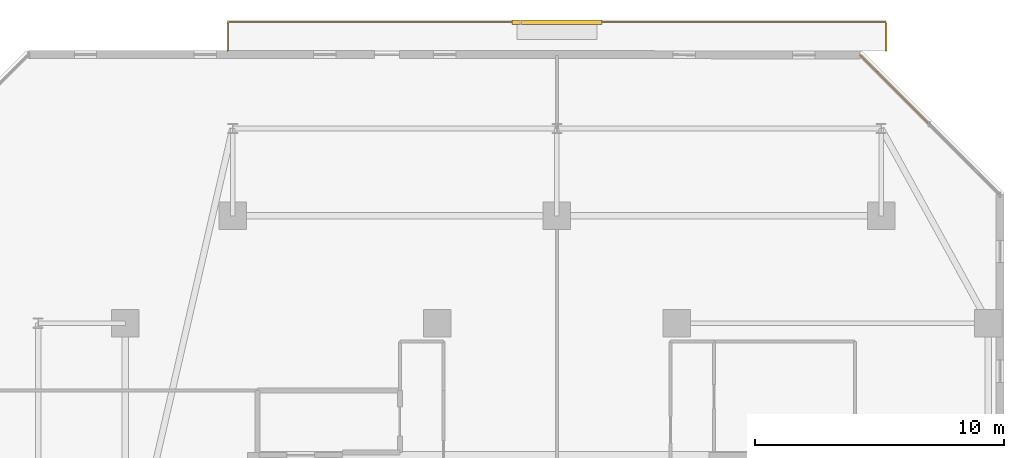
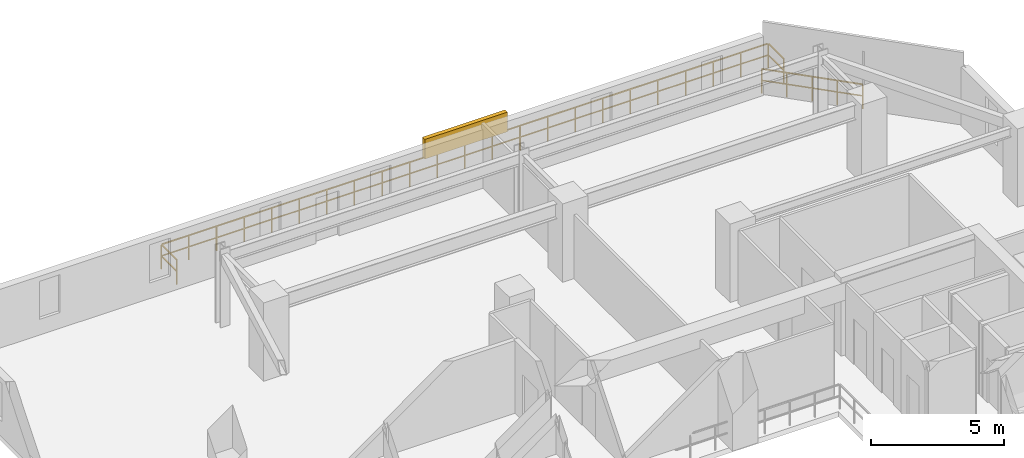
# One storey, part 32 of 32: 2 railings, 1 shading device.
"""IFC4 building model written with IfcOpenShell, lengths in metres."""

from ifc_helpers import new_model, si_unit, direction, frame, origin, origin_2d, place, context, subcontext, project, spatial, rectangle, extrude, material, type_object, element, save


model = new_model("IFC4")

# Units and contexts
model_context = context("Model", 3, precision=1e-05, world=origin(), true_north=direction((0.0, 1.0)))
body_context = subcontext(model_context, "Body", "Model", "MODEL_VIEW")
ifc_project = project(units=[si_unit("LENGTHUNIT", "METRE"), si_unit("AREAUNIT", "SQUARE_METRE"), si_unit("VOLUMEUNIT", "CUBIC_METRE"), si_unit("PLANEANGLEUNIT", "RADIAN"), si_unit("MASSUNIT", "GRAM", prefix="KILO")], contexts=[model_context])

# Site, building, storey
site_placement = place(None, origin())
site = spatial("IfcSite", under=ifc_project, at=site_placement, CompositionType="ELEMENT")
building_placement = place(site_placement, origin())
building = spatial("IfcBuilding", under=site, at=building_placement, Name="Thornwick Lancets Civic Towers", CompositionType="ELEMENT")
storey_placement = place(building_placement, frame((0.0, 0.0, 182.10009765625)))
storey = spatial("IfcBuildingStorey", under=building, at=storey_placement, Name="L48", CompositionType="ELEMENT", Elevation=182.10009765625)

# Railings
ifc_material_1 = material(Name="Terracotta-capped laminated glass balustrade S355", Category="masonry")
railing_type = type_object("IfcRailingType", Name="RAIL_TERR_GUARD", PredefinedType="GUARDRAIL", material=ifc_material_1)
railing_1_placement = place(storey_placement, frame((103.43505859375, 47.96728515625, 0.0)))
element("IfcRailing", 1, at=railing_1_placement, inside=storey, type_object=railing_type, Name="L48 Tower B Chamfer Spandrel Guard E3-1", PredefinedType="GUARDRAIL", context=body_context, shape_type="SweptSolid", body=[
    extrude(rectangle(XDim=0.048095703125, YDim=0.048095703125, at=origin_2d()), frame((0.0, 0.0, 1.1259765625), z_axis=(-0.707075811876, 0.707137749141, 0.0), x_axis=(-0.707137749141, -0.707075811876, 0.0)), (0.0, 0.0, 1.0), 3.941650390625),
    extrude(rectangle(XDim=0.0419921875, YDim=0.0419921875, at=origin_2d()), frame((-0.026611328125, 0.026611328125, 0.597900390625), z_axis=(-0.707075811876, 0.707137749141, 0.0), x_axis=(-0.707137749141, -0.707075811876, 0.0)), (0.0, 0.0, 1.0), 0.910400390625),
    extrude(rectangle(XDim=0.0419921875, YDim=0.0419921875, at=origin_2d()), frame((-0.723388671875, 0.723388671875, 0.597900390625), z_axis=(-0.707075811876, 0.707137749141, 0.0), x_axis=(-0.707137749141, -0.707075811876, 0.0)), (0.0, 0.0, 1.0), 0.910400390625),
    extrude(rectangle(XDim=0.0419921875, YDim=0.0419921875, at=origin_2d()), frame((-1.420166015625, 1.420166015625, 0.597900390625), z_axis=(-0.707075811876, 0.707137749141, 0.0), x_axis=(-0.707137749141, -0.707075811876, 0.0)), (0.0, 0.0, 1.0), 0.910400390625),
    extrude(rectangle(XDim=0.0419921875, YDim=0.0419921875, at=origin_2d()), frame((-2.116943359375, 2.116943359375, 0.597900390625), z_axis=(-0.707075811876, 0.707137749141, 0.0), x_axis=(-0.707137749141, -0.707075811876, 0.0)), (0.0, 0.0, 1.0), 0.910400390625),
    extrude(rectangle(XDim=0.0419921875, YDim=0.0419921875, at=origin_2d()), origin(), (0.0, 0.0, 1.0), 1.095703125),
    extrude(rectangle(XDim=0.0419921875, YDim=0.0419921875, at=origin_2d()), frame((-0.69677734375, 0.69677734375, 0.0)), (0.0, 0.0, 1.0), 1.095703125),
    extrude(rectangle(XDim=0.0419921875, YDim=0.0419921875, at=origin_2d()), frame((-1.3935546875, 1.3935546875, 0.0)), (0.0, 0.0, 1.0), 1.095703125),
    extrude(rectangle(XDim=0.0419921875, YDim=0.0419921875, at=origin_2d()), frame((-2.09033203125, 2.090576171875, 0.0)), (0.0, 0.0, 1.0), 1.095703125),
    extrude(rectangle(XDim=0.0419921875, YDim=0.0419921875, at=origin_2d()), frame((-2.787109375, 2.787353515625, 0.0)), (0.0, 0.0, 1.0), 1.095703125),
])
railing_2_placement = place(storey_placement, frame((75.300048828125, 50.89990234375, 0.0)))
element("IfcRailing", 2, at=railing_2_placement, inside=storey, type_object=railing_type, Name="L48 Tower B Balcony Guard N", PredefinedType="GUARDRAIL", context=body_context, shape_type="SweptSolid", body=[
    extrude(rectangle(XDim=0.048095703125, YDim=0.048095703125, at=origin_2d()), frame((0.0, 0.0, 1.1259765625), z_axis=(0.0, 1.0, 0.0), x_axis=(-1.0, 0.0, 0.0)), (0.0, 0.0, 1.0), 1.138916015625),
    extrude(rectangle(XDim=0.0419921875, YDim=0.0419921875, at=origin_2d()), frame((0.0, 0.03759765625, 0.597900390625), z_axis=(0.0, 1.0, 0.0), x_axis=(-1.0, 0.0, 0.0)), (0.0, 0.0, 1.0), 1.09521484375),
    extrude(rectangle(XDim=0.048095703125, YDim=0.048095703125, at=origin_2d()), frame((0.03125, 1.170166015625, 1.1259765625), z_axis=(1.0, 0.0, 0.0), x_axis=(0.0, 1.0, 0.0)), (0.0, 0.0, 1.0), 26.33740234375),
    extrude(rectangle(XDim=0.0419921875, YDim=0.0419921875, at=origin_2d()), frame((0.03759765625, 1.170166015625, 0.597900390625), z_axis=(1.0, 0.0, 0.0), x_axis=(0.0, 1.0, 0.0)), (0.0, 0.0, 1.0), 1.125),
    extrude(rectangle(XDim=0.0419921875, YDim=0.0419921875, at=origin_2d()), frame((1.237548828125, 1.170166015625, 0.597900390625), z_axis=(1.0, 0.0, 0.0), x_axis=(0.0, 1.0, 0.0)), (0.0, 0.0, 1.0), 1.125),
    extrude(rectangle(XDim=0.0419921875, YDim=0.0419921875, at=origin_2d()), frame((2.4375, 1.170166015625, 0.597900390625), z_axis=(1.0, 0.0, 0.0), x_axis=(0.0, 1.0, 0.0)), (0.0, 0.0, 1.0), 1.125),
    extrude(rectangle(XDim=0.0419921875, YDim=0.0419921875, at=origin_2d()), frame((3.637451171875, 1.170166015625, 0.597900390625), z_axis=(1.0, 0.0, 0.0), x_axis=(0.0, 1.0, 0.0)), (0.0, 0.0, 1.0), 1.125),
    extrude(rectangle(XDim=0.0419921875, YDim=0.0419921875, at=origin_2d()), frame((4.83740234375, 1.170166015625, 0.597900390625), z_axis=(1.0, 0.0, 0.0), x_axis=(0.0, 1.0, 0.0)), (0.0, 0.0, 1.0), 1.125),
    extrude(rectangle(XDim=0.0419921875, YDim=0.0419921875, at=origin_2d()), frame((6.037353515625, 1.170166015625, 0.597900390625), z_axis=(1.0, 0.0, 0.0), x_axis=(0.0, 1.0, 0.0)), (0.0, 0.0, 1.0), 1.125),
    extrude(rectangle(XDim=0.0419921875, YDim=0.0419921875, at=origin_2d()), frame((7.237548828125, 1.170166015625, 0.597900390625), z_axis=(1.0, 0.0, 0.0), x_axis=(0.0, 1.0, 0.0)), (0.0, 0.0, 1.0), 1.125),
    extrude(rectangle(XDim=0.0419921875, YDim=0.0419921875, at=origin_2d()), frame((8.4375, 1.170166015625, 0.597900390625), z_axis=(1.0, 0.0, 0.0), x_axis=(0.0, 1.0, 0.0)), (0.0, 0.0, 1.0), 1.125),
    extrude(rectangle(XDim=0.0419921875, YDim=0.0419921875, at=origin_2d()), frame((9.637451171875, 1.170166015625, 0.597900390625), z_axis=(1.0, 0.0, 0.0), x_axis=(0.0, 1.0, 0.0)), (0.0, 0.0, 1.0), 1.125),
    extrude(rectangle(XDim=0.0419921875, YDim=0.0419921875, at=origin_2d()), frame((10.83740234375, 1.170166015625, 0.597900390625), z_axis=(1.0, 0.0, 0.0), x_axis=(0.0, 1.0, 0.0)), (0.0, 0.0, 1.0), 1.125),
    extrude(rectangle(XDim=0.0419921875, YDim=0.0419921875, at=origin_2d()), frame((12.037353515625, 1.170166015625, 0.597900390625), z_axis=(1.0, 0.0, 0.0), x_axis=(0.0, 1.0, 0.0)), (0.0, 0.0, 1.0), 1.125),
    extrude(rectangle(XDim=0.0419921875, YDim=0.0419921875, at=origin_2d()), frame((13.237548828125, 1.170166015625, 0.597900390625), z_axis=(1.0, 0.0, 0.0), x_axis=(0.0, 1.0, 0.0)), (0.0, 0.0, 1.0), 1.125),
    extrude(rectangle(XDim=0.0419921875, YDim=0.0419921875, at=origin_2d()), frame((14.4375, 1.170166015625, 0.597900390625), z_axis=(1.0, 0.0, 0.0), x_axis=(0.0, 1.0, 0.0)), (0.0, 0.0, 1.0), 1.125),
    extrude(rectangle(XDim=0.0419921875, YDim=0.0419921875, at=origin_2d()), frame((15.637451171875, 1.170166015625, 0.597900390625), z_axis=(1.0, 0.0, 0.0), x_axis=(0.0, 1.0, 0.0)), (0.0, 0.0, 1.0), 1.125),
    extrude(rectangle(XDim=0.0419921875, YDim=0.0419921875, at=origin_2d()), frame((16.83740234375, 1.170166015625, 0.597900390625), z_axis=(1.0, 0.0, 0.0), x_axis=(0.0, 1.0, 0.0)), (0.0, 0.0, 1.0), 1.125),
    extrude(rectangle(XDim=0.0419921875, YDim=0.0419921875, at=origin_2d()), frame((18.037353515625, 1.170166015625, 0.597900390625), z_axis=(1.0, 0.0, 0.0), x_axis=(0.0, 1.0, 0.0)), (0.0, 0.0, 1.0), 1.125),
    extrude(rectangle(XDim=0.0419921875, YDim=0.0419921875, at=origin_2d()), frame((19.2373046875, 1.170166015625, 0.597900390625), z_axis=(1.0, 0.0, 0.0), x_axis=(0.0, 1.0, 0.0)), (0.0, 0.0, 1.0), 1.125),
    extrude(rectangle(XDim=0.0419921875, YDim=0.0419921875, at=origin_2d()), frame((20.4375, 1.170166015625, 0.597900390625), z_axis=(1.0, 0.0, 0.0), x_axis=(0.0, 1.0, 0.0)), (0.0, 0.0, 1.0), 1.125),
    extrude(rectangle(XDim=0.0419921875, YDim=0.0419921875, at=origin_2d()), frame((21.637451171875, 1.170166015625, 0.597900390625), z_axis=(1.0, 0.0, 0.0), x_axis=(0.0, 1.0, 0.0)), (0.0, 0.0, 1.0), 1.125),
    extrude(rectangle(XDim=0.0419921875, YDim=0.0419921875, at=origin_2d()), frame((22.83740234375, 1.170166015625, 0.597900390625), z_axis=(1.0, 0.0, 0.0), x_axis=(0.0, 1.0, 0.0)), (0.0, 0.0, 1.0), 1.125),
    extrude(rectangle(XDim=0.0419921875, YDim=0.0419921875, at=origin_2d()), frame((24.037353515625, 1.170166015625, 0.597900390625), z_axis=(1.0, 0.0, 0.0), x_axis=(0.0, 1.0, 0.0)), (0.0, 0.0, 1.0), 1.125),
    extrude(rectangle(XDim=0.0419921875, YDim=0.0419921875, at=origin_2d()), frame((25.2373046875, 1.170166015625, 0.597900390625), z_axis=(1.0, 0.0, 0.0), x_axis=(0.0, 1.0, 0.0)), (0.0, 0.0, 1.0), 1.125),
    extrude(rectangle(XDim=0.048095703125, YDim=0.048095703125, at=origin_2d()), frame((26.39990234375, 1.138916015625, 1.1259765625), z_axis=(0.0, -1.0, 0.0), x_axis=(1.0, 0.0, 0.0)), (0.0, 0.0, 1.0), 1.138916015625),
    extrude(rectangle(XDim=0.0419921875, YDim=0.0419921875, at=origin_2d()), frame((26.39990234375, 1.132568359375, 0.597900390625), z_axis=(0.0, -1.0, 0.0), x_axis=(1.0, 0.0, 0.0)), (0.0, 0.0, 1.0), 1.09521484375),
    extrude(rectangle(XDim=0.0419921875, YDim=0.0419921875, at=origin_2d()), origin(), (0.0, 0.0, 1.0), 1.095703125),
    extrude(rectangle(XDim=0.0419921875, YDim=0.0419921875, at=origin_2d()), frame((0.0, 1.170166015625, 0.0)), (0.0, 0.0, 1.0), 1.095703125),
    extrude(rectangle(XDim=0.0419921875, YDim=0.0419921875, at=origin_2d()), frame((1.199951171875, 1.170166015625, 0.0)), (0.0, 0.0, 1.0), 1.095703125),
    extrude(rectangle(XDim=0.0419921875, YDim=0.0419921875, at=origin_2d()), frame((2.39990234375, 1.170166015625, 0.0)), (0.0, 0.0, 1.0), 1.095703125),
    extrude(rectangle(XDim=0.0419921875, YDim=0.0419921875, at=origin_2d()), frame((3.60009765625, 1.170166015625, 0.0)), (0.0, 0.0, 1.0), 1.095703125),
    extrude(rectangle(XDim=0.0419921875, YDim=0.0419921875, at=origin_2d()), frame((4.800048828125, 1.170166015625, 0.0)), (0.0, 0.0, 1.0), 1.095703125),
    extrude(rectangle(XDim=0.0419921875, YDim=0.0419921875, at=origin_2d()), frame((6.0, 1.170166015625, 0.0)), (0.0, 0.0, 1.0), 1.095703125),
    extrude(rectangle(XDim=0.0419921875, YDim=0.0419921875, at=origin_2d()), frame((7.199951171875, 1.170166015625, 0.0)), (0.0, 0.0, 1.0), 1.095703125),
    extrude(rectangle(XDim=0.0419921875, YDim=0.0419921875, at=origin_2d()), frame((8.39990234375, 1.170166015625, 0.0)), (0.0, 0.0, 1.0), 1.095703125),
    extrude(rectangle(XDim=0.0419921875, YDim=0.0419921875, at=origin_2d()), frame((9.599853515625, 1.170166015625, 0.0)), (0.0, 0.0, 1.0), 1.095703125),
    extrude(rectangle(XDim=0.0419921875, YDim=0.0419921875, at=origin_2d()), frame((10.800048828125, 1.170166015625, 0.0)), (0.0, 0.0, 1.0), 1.095703125),
    extrude(rectangle(XDim=0.0419921875, YDim=0.0419921875, at=origin_2d()), frame((12.0, 1.170166015625, 0.0)), (0.0, 0.0, 1.0), 1.095703125),
    extrude(rectangle(XDim=0.0419921875, YDim=0.0419921875, at=origin_2d()), frame((13.199951171875, 1.170166015625, 0.0)), (0.0, 0.0, 1.0), 1.095703125),
    extrude(rectangle(XDim=0.0419921875, YDim=0.0419921875, at=origin_2d()), frame((14.39990234375, 1.170166015625, 0.0)), (0.0, 0.0, 1.0), 1.095703125),
    extrude(rectangle(XDim=0.0419921875, YDim=0.0419921875, at=origin_2d()), frame((15.599853515625, 1.170166015625, 0.0)), (0.0, 0.0, 1.0), 1.095703125),
    extrude(rectangle(XDim=0.0419921875, YDim=0.0419921875, at=origin_2d()), frame((16.800048828125, 1.170166015625, 0.0)), (0.0, 0.0, 1.0), 1.095703125),
    extrude(rectangle(XDim=0.0419921875, YDim=0.0419921875, at=origin_2d()), frame((18.0, 1.170166015625, 0.0)), (0.0, 0.0, 1.0), 1.095703125),
    extrude(rectangle(XDim=0.0419921875, YDim=0.0419921875, at=origin_2d()), frame((19.199951171875, 1.170166015625, 0.0)), (0.0, 0.0, 1.0), 1.095703125),
    extrude(rectangle(XDim=0.0419921875, YDim=0.0419921875, at=origin_2d()), frame((20.39990234375, 1.170166015625, 0.0)), (0.0, 0.0, 1.0), 1.095703125),
    extrude(rectangle(XDim=0.0419921875, YDim=0.0419921875, at=origin_2d()), frame((21.599853515625, 1.170166015625, 0.0)), (0.0, 0.0, 1.0), 1.095703125),
    extrude(rectangle(XDim=0.0419921875, YDim=0.0419921875, at=origin_2d()), frame((22.7998046875, 1.170166015625, 0.0)), (0.0, 0.0, 1.0), 1.095703125),
    extrude(rectangle(XDim=0.0419921875, YDim=0.0419921875, at=origin_2d()), frame((24.0, 1.170166015625, 0.0)), (0.0, 0.0, 1.0), 1.095703125),
    extrude(rectangle(XDim=0.0419921875, YDim=0.0419921875, at=origin_2d()), frame((25.199951171875, 1.170166015625, 0.0)), (0.0, 0.0, 1.0), 1.095703125),
    extrude(rectangle(XDim=0.0419921875, YDim=0.0419921875, at=origin_2d()), frame((26.39990234375, 1.170166015625, 0.0)), (0.0, 0.0, 1.0), 1.095703125),
    extrude(rectangle(XDim=0.0419921875, YDim=0.0419921875, at=origin_2d()), frame((26.39990234375, 0.0, 0.0)), (0.0, 0.0, 1.0), 1.095703125),
])

# Shading device
ifc_material_2 = material(Name="Extruded terracotta baguette solar screen", Category="masonry")
shading_device_type = type_object("IfcShadingDeviceType", Name="SHADE_BAGUETTE", PredefinedType="JALOUSIE", material=ifc_material_2)
shading_device_placement = place(storey_placement, frame((88.5, 52.06005859375, 1.119873046875), z_axis=(0.0, 0.0, 1.0), x_axis=(1.0, 0.0, 0.0)))
element("IfcShadingDevice", 3, at=shading_device_placement, inside=storey, type_object=shading_device_type, Name="L48 Tower B Terracotta Baguette Screen N", PredefinedType="JALOUSIE", context=body_context, shape_type="SweptSolid", body=[
    extrude(rectangle(XDim=3.60009765625, YDim=0.179931640625, at=origin_2d()), origin(), (0.0, 0.0, 1.0), 0.89990234375),
])

save(model, "model.ifc")
